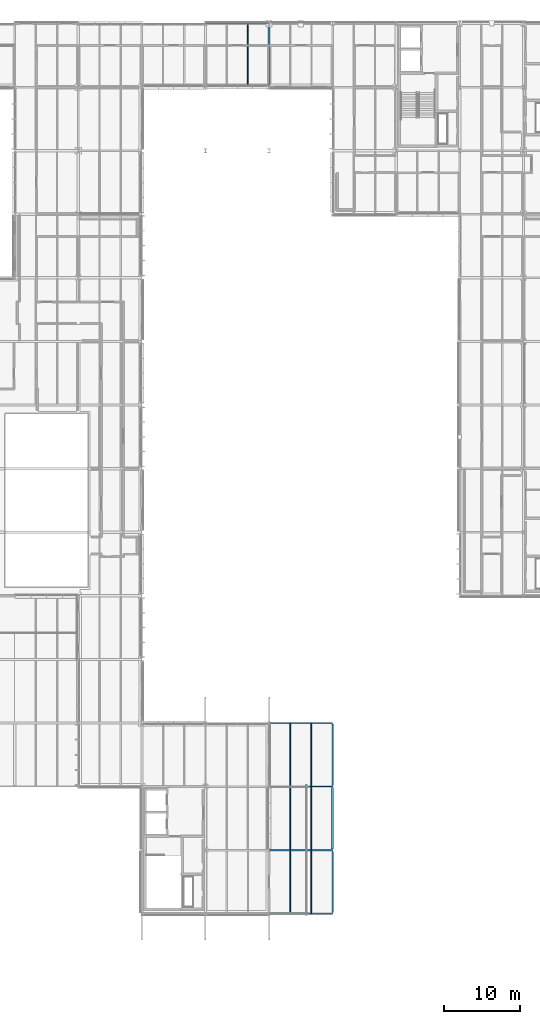
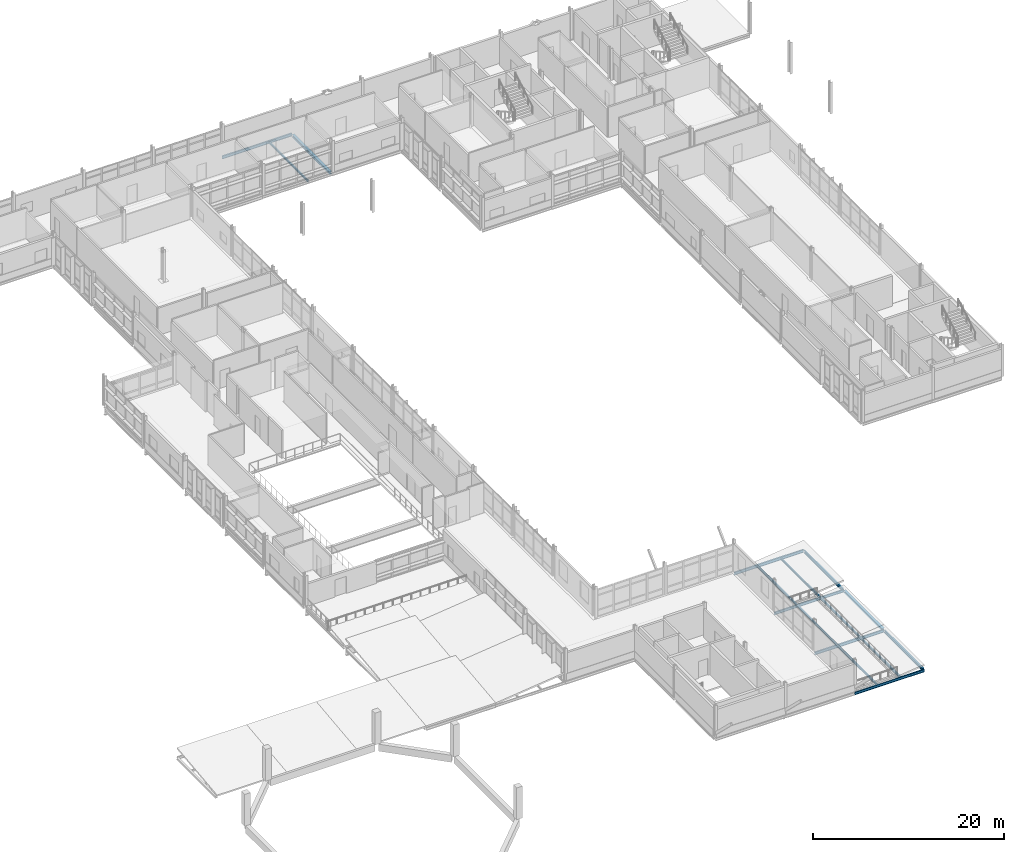
# One storey, part 82 of 131: 16 beams.
"""IFC4 building model written with IfcOpenShell, lengths in metres."""

from ifc_helpers import new_model, si_unit, direction, frame, origin, origin_2d, place, context, subcontext, project, spatial, i_section, extrude, material, material_profile, profile_set, type_object, element, save


model = new_model("IFC4")

# Units and contexts
model_context = context("Model", 3, precision=1e-05, world=origin(), true_north=direction((0.0, 1.0)))
body_context = subcontext(model_context, "Body", "Model", "MODEL_VIEW")
ifc_project = project(units=[si_unit("LENGTHUNIT", "METRE"), si_unit("AREAUNIT", "SQUARE_METRE"), si_unit("VOLUMEUNIT", "CUBIC_METRE"), si_unit("PLANEANGLEUNIT", "RADIAN"), si_unit("MASSUNIT", "GRAM", prefix="KILO")], contexts=[model_context])

# Site, building, storey
site_placement = place(None, origin())
site = spatial("IfcSite", under=ifc_project, at=site_placement, CompositionType="ELEMENT")
building_placement = place(site_placement, origin())
building = spatial("IfcBuilding", under=site, at=building_placement, Name="Mersafa Astral City Hall", CompositionType="ELEMENT")
storey_placement = place(building_placement, frame((0.0, 0.0, 13.949951171875)))
storey = spatial("IfcBuildingStorey", under=building, at=storey_placement, Name="L03", CompositionType="ELEMENT", Elevation=13.949951171875)

# Beams
ifc_material = material(Name="Steel S355", Category="steel")
ifc_material_profile_1 = material_profile(ifc_material, i_section(OverallWidth=0.300048828125, OverallDepth=0.31005859375, WebThickness=0.009033203125, FlangeThickness=0.015380859375, FilletRadius=0.027099609375, at=origin_2d()), Name="HEA 320")
ifc_profile_set_1 = profile_set([ifc_material_profile_1], Name="Steel S355")
beam_type_1 = type_object("IfcBeamType", Name="STR-BM-HEA320", PredefinedType="BEAM", material=ifc_profile_set_1)
beam_1_placement = place(storey_placement, frame((134.39990234375, 117.844970703125, -0.35498046875), z_axis=(0.0, 1.0, 0.0), x_axis=(-1.0, 0.0, 0.0)))
element("IfcBeam", 1, at=beam_1_placement, inside=storey, type_object=beam_type_1, Name="L03 Primary girder Y 16-14", PredefinedType="BEAM", context=body_context, shape_type="SweptSolid", body=[
    extrude(i_section(OverallWidth=0.300048828125, OverallDepth=0.31005859375, WebThickness=0.009033203125, FlangeThickness=0.015380859375, FilletRadius=0.027099609375, at=origin_2d()), origin(), (0.0, 0.0, 1.0), 7.909912109375),
])
ifc_material_profile_2 = material_profile(ifc_material, i_section(OverallWidth=0.135009765625, OverallDepth=0.27001953125, WebThickness=0.006591796875, FlangeThickness=0.01025390625, FilletRadius=0.014892578125, at=origin_2d()), Name="IPE 270")
ifc_profile_set_2 = profile_set([ifc_material_profile_2], Name="Steel S355")
beam_type_2 = type_object("IfcBeamType", Name="STR-BM-JOIST-IPE270", PredefinedType="JOIST", material=ifc_profile_set_2)
for number, where, z_axis, x_axis, name in (
    (2, (131.60009765625, 117.675048828125, -0.3349609375), (0.0, 1.0, 0.0), (-1.0, 0.0, 0.0), "L03 Composite secondary floor joist 641"),
    (3, (137.199951171875, 8.47509765625, -0.3349609375), (0.0, 1.0, 0.0), (-1.0, 0.0, 0.0), "L03 Flat roof secondary joist 25"),
    (4, (140.0, 8.47509765625, -0.3349609375), (0.0, 1.0, 0.0), (-1.0, 0.0, 0.0), "L03 Flat roof secondary joist 26"),
):
    element("IfcBeam", number, at=place(storey_placement, frame(where, z_axis=z_axis, x_axis=x_axis)), inside=storey, type_object=beam_type_2, Name=name, PredefinedType="JOIST", context=body_context, shape_type="SweptSolid", body=[
        extrude(i_section(OverallWidth=0.135009765625, OverallDepth=0.27001953125, WebThickness=0.006591796875, FlangeThickness=0.01025390625, FilletRadius=0.014892578125, at=origin_2d()), origin(), (0.0, 0.0, 1.0), 8.244873046875),
    ])
for number, where, z_axis, x_axis, name in (
    (5, (137.199951171875, 16.8798828125, -0.3349609375), (0.0, 1.0, 0.0), (-1.0, 0.0, 0.0), "L03 Flat roof secondary joist 27"),
    (6, (140.0, 16.8798828125, -0.3349609375), (0.0, 1.0, 0.0), (-1.0, 0.0, 0.0), "L03 Flat roof secondary joist 28"),
    (7, (137.199951171875, 25.27490234375, -0.3349609375), (0.0, 1.0, 0.0), (-1.0, 0.0, 0.0), "L03 Flat roof secondary joist 29"),
    (8, (140.0, 25.27490234375, -0.3349609375), (0.0, 1.0, 0.0), (-1.0, 0.0, 0.0), "L03 Flat roof secondary joist 30"),
):
    element("IfcBeam", number, at=place(storey_placement, frame(where, z_axis=z_axis, x_axis=x_axis)), inside=storey, type_object=beam_type_2, Name=name, PredefinedType="JOIST", context=body_context, shape_type="SweptSolid", body=[
        extrude(i_section(OverallWidth=0.135009765625, OverallDepth=0.27001953125, WebThickness=0.006591796875, FlangeThickness=0.01025390625, FilletRadius=0.014892578125, at=origin_2d()), origin(), (0.0, 0.0, 1.0), 8.2451171875),
    ])
ifc_material_profile_3 = material_profile(ifc_material, i_section(OverallWidth=0.280029296875, OverallDepth=0.27001953125, WebThickness=0.008056640625, FlangeThickness=0.012939453125, FilletRadius=0.02392578125, at=origin_2d()), Name="HEA 280")
ifc_profile_set_3 = profile_set([ifc_material_profile_3], Name="Steel S355")
beam_type_3 = type_object("IfcBeamType", Name="STR-BM-SPANDREL-HEA280", PredefinedType="SPANDREL", material=ifc_profile_set_3)
beam_2_placement = place(storey_placement, frame((142.800048828125, 16.945068359375, -0.3349609375), z_axis=(0.0, 1.0, 0.0), x_axis=(-1.0, 0.0, 0.0)))
element("IfcBeam", 9, at=beam_2_placement, inside=storey, type_object=beam_type_3, Name="L03 Primary girder Y 17-2", PredefinedType="SPANDREL", context=body_context, shape_type="SweptSolid", body=[
    extrude(i_section(OverallWidth=0.280029296875, OverallDepth=0.27001953125, WebThickness=0.008056640625, FlangeThickness=0.012939453125, FilletRadius=0.02392578125, at=origin_2d()), origin(), (0.0, 0.0, 1.0), 8.10986328125),
])
ifc_material_profile_4 = material_profile(ifc_material, i_section(OverallWidth=0.159912109375, OverallDepth=0.330078125, WebThickness=0.007568359375, FlangeThickness=0.011474609375, FilletRadius=0.01806640625, at=origin_2d()), Name="IPE 330")
ifc_profile_set_4 = profile_set([ifc_material_profile_4], Name="Steel S355")
beam_type_4 = type_object("IfcBeamType", Name="STR-BM-SPANDREL-IPE330", PredefinedType="SPANDREL", material=ifc_profile_set_4)
for number, where, z_axis, x_axis, name in (
    (10, (134.403076171875, 8.39990234375, -0.364990234375), (1.0, 0.0, 0.0), (0.0, 1.0, 0.0), "L03 Primary girder X 16-1"),
    (11, (134.403076171875, 25.199951171875, -0.364990234375), (1.0, 0.0, 0.0), (0.0, 1.0, 0.0), "L03 Primary girder X 16-3"),
):
    element("IfcBeam", number, at=place(storey_placement, frame(where, z_axis=z_axis, x_axis=x_axis)), inside=storey, type_object=beam_type_4, Name=name, PredefinedType="SPANDREL", context=body_context, shape_type="SweptSolid", body=[
        extrude(i_section(OverallWidth=0.159912109375, OverallDepth=0.330078125, WebThickness=0.007568359375, FlangeThickness=0.011474609375, FilletRadius=0.01806640625, at=origin_2d()), origin(), (0.0, 0.0, 1.0), 8.39404296875),
    ])
ifc_material_profile_5 = material_profile(ifc_material, i_section(OverallWidth=0.169921875, OverallDepth=0.360107421875, WebThickness=0.008056640625, FlangeThickness=0.0126953125, FilletRadius=0.01806640625, at=origin_2d()), Name="IPE 360")
ifc_profile_set_5 = profile_set([ifc_material_profile_5], Name="Steel S355")
beam_type_5 = type_object("IfcBeamType", Name="STR-BM-SPANDREL-IPE360", PredefinedType="SPANDREL", material=ifc_profile_set_5)
for number, where, z_axis, x_axis, name in (
    (12, (134.403076171875, 16.800048828125, -0.3798828125), (1.0, 0.0, 0.0), (0.0, 1.0, 0.0), "L03 Primary girder X 16-2"),
    (13, (134.403076171875, 33.60009765625, -0.3798828125), (1.0, 0.0, 0.0), (0.0, 1.0, 0.0), "L03 Primary girder X 16-4"),
    (14, (126.0029296875, 126.0, -0.3798828125), (1.0, 0.0, 0.0), (0.0, 1.0, 0.0), "L03 Primary girder X 15-15"),
):
    element("IfcBeam", number, at=place(storey_placement, frame(where, z_axis=z_axis, x_axis=x_axis)), inside=storey, type_object=beam_type_5, Name=name, PredefinedType="SPANDREL", context=body_context, shape_type="SweptSolid", body=[
        extrude(i_section(OverallWidth=0.169921875, OverallDepth=0.360107421875, WebThickness=0.008056640625, FlangeThickness=0.0126953125, FilletRadius=0.01806640625, at=origin_2d()), origin(), (0.0, 0.0, 1.0), 8.39404296875),
    ])
for number, where, z_axis, x_axis, name in (
    (15, (142.800048828125, 8.544921875, -0.3798828125), (0.0, 1.0, 0.0), (-1.0, 0.0, 0.0), "L03 Primary girder Y 17-1"),
    (16, (142.800048828125, 25.344970703125, -0.3798828125), (0.0, 1.0, 0.0), (-1.0, 0.0, 0.0), "L03 Primary girder Y 17-3"),
):
    element("IfcBeam", number, at=place(storey_placement, frame(where, z_axis=z_axis, x_axis=x_axis)), inside=storey, type_object=beam_type_5, Name=name, PredefinedType="SPANDREL", context=body_context, shape_type="SweptSolid", body=[
        extrude(i_section(OverallWidth=0.169921875, OverallDepth=0.360107421875, WebThickness=0.008056640625, FlangeThickness=0.0126953125, FilletRadius=0.01806640625, at=origin_2d()), origin(), (0.0, 0.0, 1.0), 8.110107421875),
    ])

save(model, "model.ifc")
